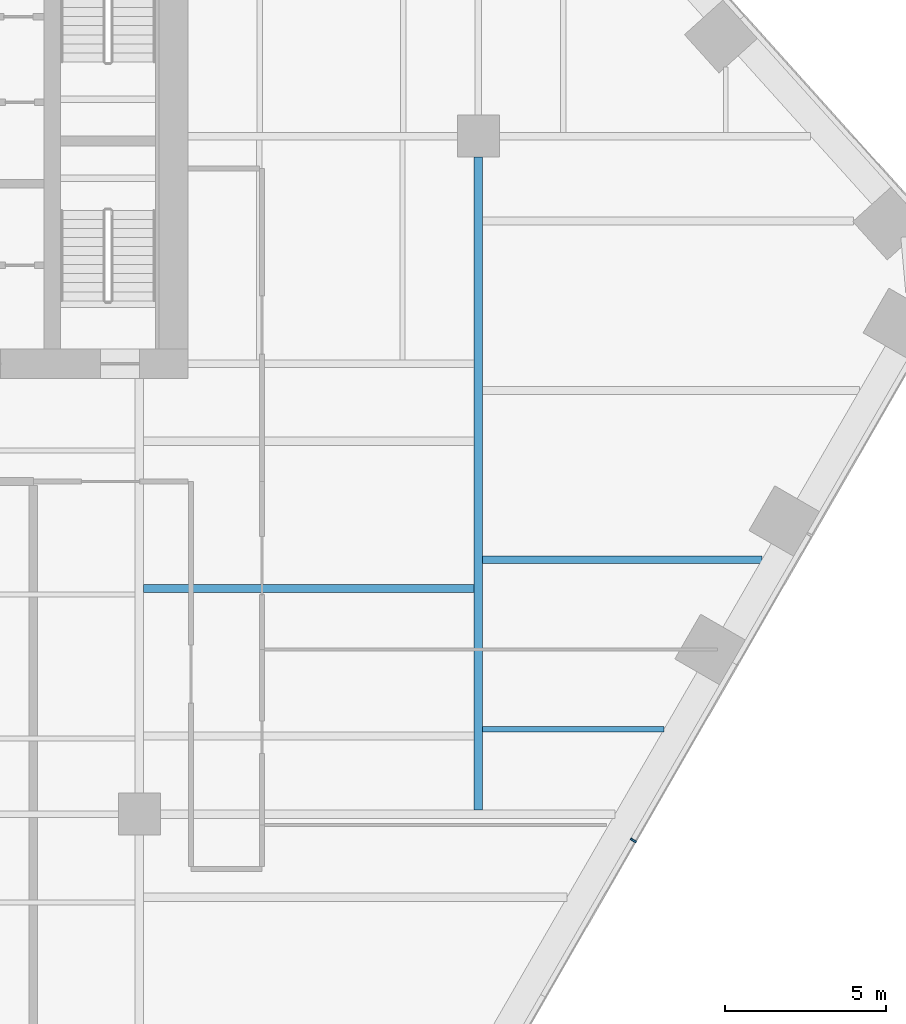
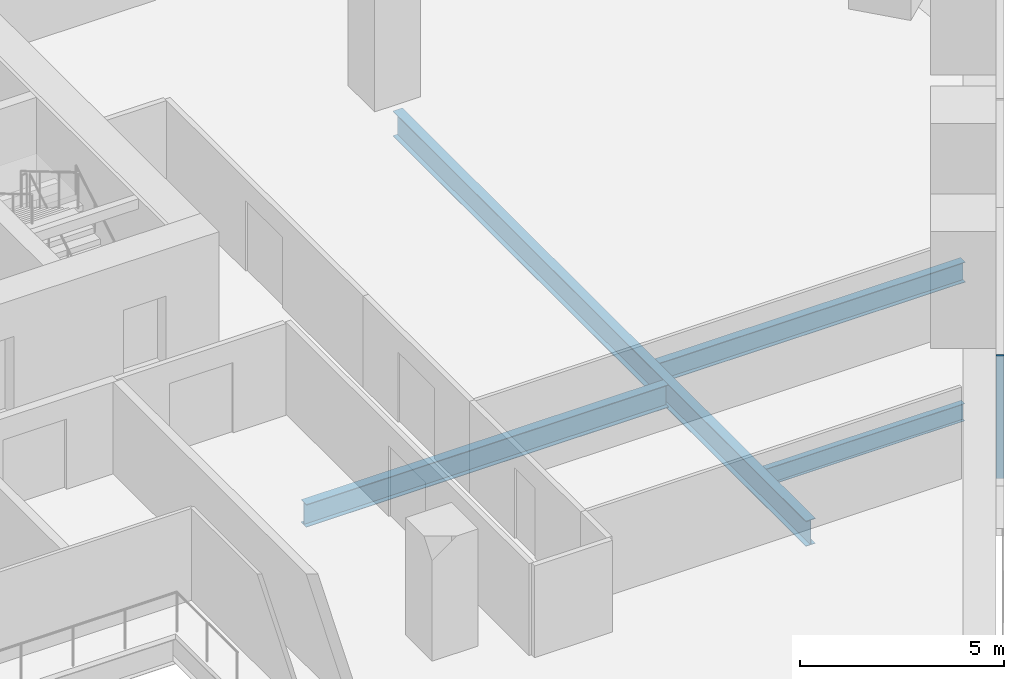
# One storey, part 7 of 21: 4 beams, 1 member, 1 element without a shape of its own.
"""IFC4 building model written with IfcOpenShell, lengths in metres."""

from ifc_helpers import new_model, si_unit, direction, frame, origin, origin_2d, place, context, subcontext, project, spatial, rectangle, i_section, extrude, material, layer, layer_set, material_profile, profile_set, type_object, element, aggregate, save


model = new_model("IFC4")

# Units and contexts
model_context = context("Model", 3, precision=1e-05, world=origin(), true_north=direction((0.0, 1.0)))
body_context = subcontext(model_context, "Body", "Model", "MODEL_VIEW")
ifc_project = project(units=[si_unit("LENGTHUNIT", "METRE"), si_unit("AREAUNIT", "SQUARE_METRE"), si_unit("VOLUMEUNIT", "CUBIC_METRE"), si_unit("PLANEANGLEUNIT", "RADIAN"), si_unit("MASSUNIT", "GRAM", prefix="KILO")], contexts=[model_context])

# Site, building, storey
site_placement = place(None, origin())
site = spatial("IfcSite", under=ifc_project, at=site_placement, CompositionType="ELEMENT")
building_placement = place(site_placement, origin())
building = spatial("IfcBuilding", under=site, at=building_placement, Name="Isthmus Gate Tower", CompositionType="ELEMENT")
storey_placement = place(building_placement, frame((0.0, 0.0, 106.199951171875)))
storey = spatial("IfcBuildingStorey", under=building, at=storey_placement, Name="L25", CompositionType="ELEMENT", Elevation=106.199951171875)

# Curtain wall, member
ifc_material_1 = material(Name="Aluminium, pale champagne anodised", Category="aluminium")
ifc_layer = layer(ifc_material_1, 0.199951171875)
ifc_layer_set = layer_set([ifc_layer], Name="CW-1 UNITISED CURTAIN WALL 200 DEEP")
curtain_wall_type = type_object("IfcCurtainWallType", Name="CW-1 UNITISED CURTAIN WALL 200 DEEP", PredefinedType="NOTDEFINED", material=ifc_layer_set)
curtain_wall_placement = place(storey_placement, origin())
curtain_wall = element("IfcCurtainWall", 1, at=curtain_wall_placement, inside=storey, type_object=curtain_wall_type, Name="CW-1 SE L25", PredefinedType="NOTDEFINED")
ifc_material_2 = material(Name="Aluminium, pale champagne anodised", Category="aluminium")
ifc_material_profile_1 = material_profile(ifc_material_2, rectangle(XDim=0.06005859375, YDim=0.199951171875, at=origin_2d()), Name="60x200")
ifc_profile_set_1 = profile_set([ifc_material_profile_1], Name="Aluminium, pale champagne anodised")
member_type = type_object("IfcMemberType", Name="CW-1 MULLION 60 X 200", PredefinedType="MULLION", material=ifc_profile_set_1)
member_placement = place(storey_placement, frame((28.802001953125, -14.3134765625, 0.0), z_axis=(0.0, 0.0, 1.0), x_axis=(0.5, 0.866025403784, 0.0)))
member = element("IfcMember", 2, at=member_placement, type_object=member_type, Name="CW-1 mullion", PredefinedType="MULLION", context=body_context, shape_type="SweptSolid", body=[
    extrude(rectangle(XDim=0.06005859375, YDim=0.199951171875, at=origin_2d()), origin(), (0.0, 0.0, 1.0), 3.650146484375),
])
aggregate(curtain_wall, [member])

# Beams
ifc_material_3 = material(Name="Structural steel ASTM A992 Gr 50", Category="steel")
ifc_material_profile_2 = material_profile(ifc_material_3, i_section(OverallWidth=0.1650390625, OverallDepth=0.52392578125, WebThickness=0.009521484375, FlangeThickness=0.010986328125, at=origin_2d()), Name="W21X44")
ifc_profile_set_2 = profile_set([ifc_material_profile_2], Name="Structural steel ASTM A992 Gr 50")
beam_type_1 = type_object("IfcBeamType", Name="STEEL FLOOR BEAM W21X44", PredefinedType="JOIST", material=ifc_profile_set_2)
beam_1_placement = place(storey_placement, frame((24.13330078125, -10.875, -0.411865234375), z_axis=(1.0, 0.0, 0.0), x_axis=(0.0, 1.0, 0.0)))
element("IfcBeam", 3, at=beam_1_placement, inside=storey, type_object=beam_type_1, Name="str-beam-L25-34-00", PredefinedType="JOIST", context=body_context, shape_type="SweptSolid", body=[
    extrude(i_section(OverallWidth=0.1650390625, OverallDepth=0.52392578125, WebThickness=0.009521484375, FlangeThickness=0.010986328125, at=origin_2d()), origin(), (0.0, 0.0, 1.0), 5.61474609375),
])
ifc_material_4 = material(Name="Structural steel ASTM A992 Gr 50", Category="steel")
ifc_material_profile_3 = material_profile(ifc_material_4, i_section(OverallWidth=0.228515625, OverallDepth=0.603271484375, WebThickness=0.010986328125, FlangeThickness=0.014404296875, at=origin_2d()), Name="W24X68")
ifc_profile_set_3 = profile_set([ifc_material_profile_3], Name="Structural steel ASTM A992 Gr 50")
beam_type_2 = type_object("IfcBeamType", Name="STEEL FLOOR BEAM W24X68", PredefinedType="JOIST", material=ifc_profile_set_3)
beam_2_placement = place(storey_placement, frame((24.13330078125, -5.625, -0.45166015625), z_axis=(1.0, 0.0, 0.0), x_axis=(0.0, 1.0, 0.0)))
element("IfcBeam", 4, at=beam_2_placement, inside=storey, type_object=beam_type_2, Name="str-beam-L25-34-01", PredefinedType="JOIST", context=body_context, shape_type="SweptSolid", body=[
    extrude(i_section(OverallWidth=0.228515625, OverallDepth=0.603271484375, WebThickness=0.010986328125, FlangeThickness=0.014404296875, at=origin_2d()), origin(), (0.0, 0.0, 1.0), 8.645751953125),
])
ifc_material_5 = material(Name="Structural steel ASTM A992 Gr 50", Category="steel")
ifc_material_profile_4 = material_profile(ifc_material_5, i_section(OverallWidth=0.25390625, OverallDepth=0.679443359375, WebThickness=0.010986328125, FlangeThickness=0.015869140625, at=origin_2d()), Name="W27X84")
ifc_profile_set_4 = profile_set([ifc_material_profile_4], Name="Structural steel ASTM A992 Gr 50")
beam_type_3 = type_object("IfcBeamType", Name="STEEL FLOOR BEAM W27X84", PredefinedType="JOIST", material=ifc_profile_set_4)
beam_3_placement = place(storey_placement, frame((13.6318359375, -6.515380859375, -0.48974609375), z_axis=(1.0, 0.0, 0.0), x_axis=(0.0, 1.0, 0.0)))
element("IfcBeam", 5, at=beam_3_placement, inside=storey, type_object=beam_type_3, Name="str-beam-L25-27-01", PredefinedType="JOIST", context=body_context, shape_type="SweptSolid", body=[
    extrude(i_section(OverallWidth=0.25390625, OverallDepth=0.679443359375, WebThickness=0.010986328125, FlangeThickness=0.015869140625, at=origin_2d()), origin(), (0.0, 0.0, 1.0), 10.23486328125),
])
ifc_material_6 = material(Name="Structural steel ASTM A992 Gr 50", Category="steel")
ifc_material_profile_5 = material_profile(ifc_material_6, i_section(OverallWidth=0.2666015625, OverallDepth=0.7587890625, WebThickness=0.014404296875, FlangeThickness=0.01904296875, at=origin_2d()), Name="W30X108")
ifc_profile_set_5 = profile_set([ifc_material_profile_5], Name="Structural steel ASTM A992 Gr 50")
beam_type_4 = type_object("IfcBeamType", Name="STEEL GIRDER W30X108", PredefinedType="BEAM", material=ifc_profile_set_5)
beam_4_placement = place(storey_placement, frame((24.0, -13.36669921875, -0.529296875), z_axis=(0.0, 1.0, 0.0), x_axis=(-1.0, 0.0, 0.0)))
element("IfcBeam", 6, at=beam_4_placement, inside=storey, type_object=beam_type_4, Name="str-girder-L25-36", PredefinedType="BEAM", context=body_context, shape_type="SweptSolid", body=[
    extrude(i_section(OverallWidth=0.2666015625, OverallDepth=0.7587890625, WebThickness=0.014404296875, FlangeThickness=0.01904296875, at=origin_2d()), origin(), (0.0, 0.0, 1.0), 20.216796875),
])

save(model, "model.ifc")
